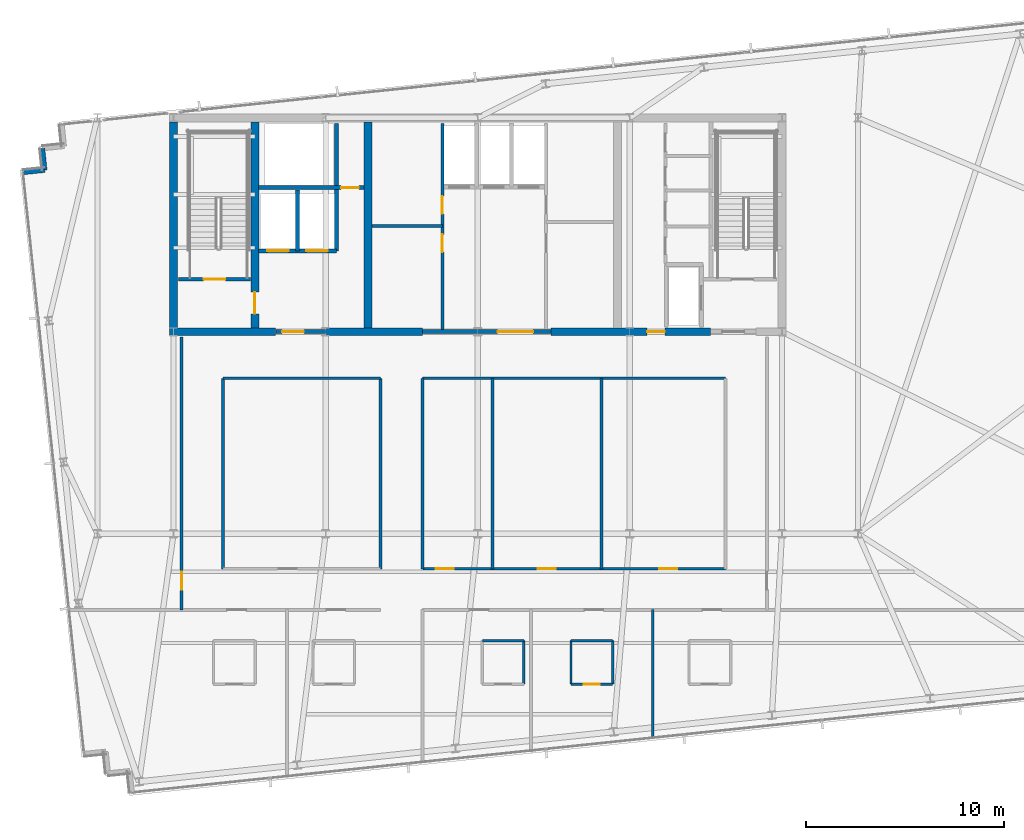
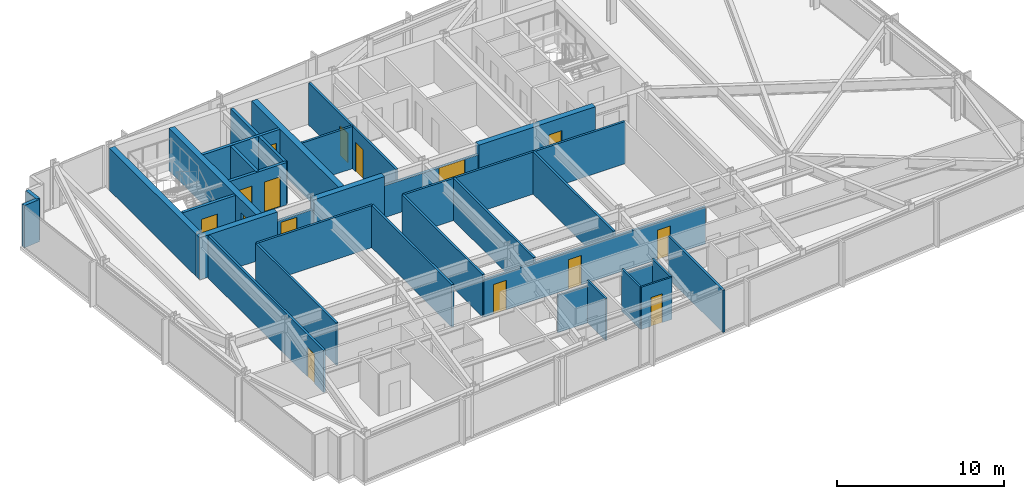
# One storey, part 27 of 33: 33 walls, 15 doors, 15 openings.
"""IFC4 building model written with IfcOpenShell, lengths in metres."""

from ifc_helpers import new_model, si_unit, direction, frame, frame_2d, origin, place, context, subcontext, project, spatial, rectangle, extrude, material, layer, layer_set, type_object, element, fill, save


model = new_model("IFC4")

# Units and contexts
model_context = context("Model", 3, precision=1e-05, world=origin(), true_north=direction((0.0, 1.0)))
body_context = subcontext(model_context, "Body", "Model", "MODEL_VIEW")
ifc_project = project(units=[si_unit("LENGTHUNIT", "METRE"), si_unit("AREAUNIT", "SQUARE_METRE"), si_unit("VOLUMEUNIT", "CUBIC_METRE"), si_unit("PLANEANGLEUNIT", "RADIAN"), si_unit("MASSUNIT", "GRAM", prefix="KILO")], contexts=[model_context])

# Site, building, storey
site_placement = place(None, origin())
site = spatial("IfcSite", under=ifc_project, at=site_placement, CompositionType="ELEMENT")
building_placement = place(site_placement, origin())
building = spatial("IfcBuilding", under=site, at=building_placement, Name="Yelkora Congress Tower", CompositionType="ELEMENT")
storey_placement = place(building_placement, frame((0.0, 0.0, 234.199951171875)))
storey = spatial("IfcBuildingStorey", under=building, at=storey_placement, Name="L65", CompositionType="ELEMENT", Elevation=234.199951171875)

# Walls
ifc_material_1 = material(Name="Concrete C50/60", Category="concrete")
ifc_layer_1 = layer(ifc_material_1, 0.39990234375)
ifc_layer_set_1 = layer_set([ifc_layer_1], Name="Concrete C50/60")
wall_type_1 = type_object("IfcWallType", Name="WALL-CORE-INT-400", PredefinedType="SHEAR", material=ifc_layer_set_1)
wall_1_placement = place(storey_placement, frame((22.840087890625, 35.39990234375, 0.0), z_axis=(0.0, 0.0, 1.0), x_axis=(1.0, 0.0, 0.0)))
element("IfcWall", 1, at=wall_1_placement, inside=storey, type_object=wall_type_1, Name="L65 Rear Core South-West Shear Wall", PredefinedType="SHEAR", context=body_context, shape_type="SweptSolid", body=[
    extrude(rectangle(XDim=5.35986328125, YDim=0.39990234375, at=frame_2d((2.679931640625, 0.0))), origin(), (0.0, 0.0, 1.0), 3.080078125),
])
wall_2_placement = place(storey_placement, frame((30.719970703125, 35.39990234375, 0.0), z_axis=(0.0, 0.0, 1.0), x_axis=(1.0, 0.0, 0.0)))
element("IfcWall", 2, at=wall_2_placement, inside=storey, type_object=wall_type_1, Name="L65 Rear Core South-Center Shear Pier", PredefinedType="SHEAR", context=body_context, shape_type="SweptSolid", body=[
    extrude(rectangle(XDim=4.880126953125, YDim=0.39990234375, at=frame_2d((2.43994140625, 0.0))), origin(), (0.0, 0.0, 1.0), 3.080078125),
])

# Wall, opening, door
wall_3_placement = place(storey_placement, frame((42.10009765625, 35.39990234375, 0.0), z_axis=(0.0, 0.0, 1.0), x_axis=(1.0, 0.0, 0.0)))
wall_3 = element("IfcWall", 3, at=wall_3_placement, inside=storey, type_object=wall_type_1, Name="L65 Rear Core South-East Shear Wall A", PredefinedType="SHEAR", context=body_context, shape_type="SweptSolid", body=[
    extrude(rectangle(XDim=8.0498046875, YDim=0.39990234375, at=frame_2d((4.02490234375, 0.0))), origin(), (0.0, 0.0, 1.0), 3.080078125),
])
opening_1_placement = place(wall_3_placement, frame((4.85009765625, 0.0, 0.0)))
opening_1 = element("IfcOpeningElement", 4, at=opening_1_placement, cuts=wall_3, Name="Opening DR-090F6", PredefinedType="OPENING", context=body_context, shape_type="SweptSolid", body=[
    extrude(rectangle(XDim=0.89990234375, YDim=2.14990234375, at=frame_2d((0.449951171875, 1.074951171875))), frame((0.0, 0.2099609375, 0.0), z_axis=(0.0, -1.0, 0.0), x_axis=(1.0, 0.0, 0.0)), (0.0, 0.0, 1.0), 0.419921875),
])
ifc_material_2 = material(Name="Painted steel riser fire door leaf", Category="steel")
door_type_1 = type_object("IfcDoorType", Name="DOOR-FD60-900", OperationType="NOTDEFINED", PredefinedType="DOOR", material=ifc_material_2)
door_1_placement = place(opening_1_placement, origin())
door_1 = element("IfcDoor", 5, at=door_1_placement, inside=storey, type_object=door_type_1, Name="L65 Core Washroom Lobby Door", OperationType="SINGLE_SWING_RIGHT", OverallHeight=2.14990234375, OverallWidth=0.89990234375, PredefinedType="DOOR", context=body_context, shape_type="SweptSolid", body=[
    extrude(rectangle(XDim=0.89990234375, YDim=2.14990234375, at=frame_2d((0.449951171875, 1.074951171875))), frame((0.0, 0.02490234375, 0.0), z_axis=(0.0, -1.0, 0.0), x_axis=(1.0, 0.0, 0.0)), (0.0, 0.0, 1.0), 0.050048828125),
])
fill(opening_1, door_1)

# Wall
wall_4_placement = place(storey_placement, frame((23.0400390625, 35.60009765625, 0.0), z_axis=(0.0, 0.0, 1.0), x_axis=(0.0, 1.0, 0.0)))
element("IfcWall", 6, at=wall_4_placement, inside=storey, type_object=wall_type_1, Name="L65 Rear Core Cross Shear Wall W", PredefinedType="SHEAR", context=body_context, shape_type="SweptSolid", body=[
    extrude(rectangle(XDim=10.39990234375, YDim=0.39990234375, at=frame_2d((5.199951171875, 0.0))), origin(), (0.0, 0.0, 1.0), 3.080078125),
])

# Wall, opening, door
wall_5_placement = place(storey_placement, frame((27.14990234375, 35.60009765625, 0.0), z_axis=(0.0, 0.0, 1.0), x_axis=(0.0, 1.0, 0.0)))
wall_5 = element("IfcWall", 7, at=wall_5_placement, inside=storey, type_object=wall_type_1, Name="L65 Rear Core Cross Shear Wall C1", PredefinedType="SHEAR", context=body_context, shape_type="SweptSolid", body=[
    extrude(rectangle(XDim=10.39990234375, YDim=0.39990234375, at=frame_2d((5.199951171875, 0.0))), origin(), (0.0, 0.0, 1.0), 3.080078125),
])
opening_2_placement = place(wall_5_placement, frame((0.699951171875, 0.0, 0.0)))
opening_2 = element("IfcOpeningElement", 8, at=opening_2_placement, cuts=wall_5, Name="Opening DR-110F9", PredefinedType="OPENING", context=body_context, shape_type="SweptSolid", body=[
    extrude(rectangle(XDim=1.10009765625, YDim=2.14990234375, at=frame_2d((0.550048828125, 1.074951171875))), frame((0.0, 0.2099609375, 0.0), z_axis=(0.0, -1.0, 0.0), x_axis=(1.0, 0.0, 0.0)), (0.0, 0.0, 1.0), 0.419921875),
])
ifc_material_3 = material(Name="Galvanised steel fire door leaf", Category="steel")
door_type_2 = type_object("IfcDoorType", Name="DOOR-FD90-1100", OperationType="NOTDEFINED", PredefinedType="DOOR", material=ifc_material_3)
door_2_placement = place(opening_2_placement, origin())
door_2 = element("IfcDoor", 9, at=door_2_placement, inside=storey, type_object=door_type_2, Name="L65 Firefighting Stair Transfer Door", OperationType="SINGLE_SWING_LEFT", OverallHeight=2.14990234375, OverallWidth=1.10009765625, PredefinedType="DOOR", context=body_context, shape_type="SweptSolid", body=[
    extrude(rectangle(XDim=1.10009765625, YDim=2.14990234375, at=frame_2d((0.550048828125, 1.074951171875))), frame((0.0, 0.02490234375, 0.0), z_axis=(0.0, -1.0, 0.0), x_axis=(1.0, 0.0, 0.0)), (0.0, 0.0, 1.0), 0.050048828125),
])
fill(opening_2, door_2)

# Walls
wall_6_placement = place(storey_placement, frame((32.85009765625, 35.60009765625, 0.0), z_axis=(0.0, 0.0, 1.0), x_axis=(0.0, 1.0, 0.0)))
element("IfcWall", 10, at=wall_6_placement, inside=storey, type_object=wall_type_1, Name="L65 Rear Core Cross Shear Wall C2", PredefinedType="SHEAR", context=body_context, shape_type="SweptSolid", body=[
    extrude(rectangle(XDim=10.39990234375, YDim=0.39990234375, at=frame_2d((5.199951171875, 0.0))), origin(), (0.0, 0.0, 1.0), 3.080078125),
])
ifc_material_4 = material(Name="Concrete C40/50", Category="concrete")
ifc_layer_2 = layer(ifc_material_4, 0.239990234375)
ifc_layer_set_2 = layer_set([ifc_layer_2], Name="Concrete C40/50")
wall_type_2 = type_object("IfcWallType", Name="WALL-EXT-LIMESTONE-240", PredefinedType="SOLIDWALL", material=ifc_layer_set_2)
wall_7_placement = place(storey_placement, frame((15.441162109375, 43.444580078125, 0.0), z_axis=(0.0, 0.0, 1.0), x_axis=(0.994495717747, 0.104777227405, 0.0)))
element("IfcWall", 11, at=wall_7_placement, inside=storey, type_object=wall_type_2, Name="L65 Serrated Corner Limestone Pier 6", PredefinedType="SOLIDWALL", context=body_context, shape_type="SweptSolid", body=[
    extrude(rectangle(XDim=1.099853515625, YDim=0.239990234375, at=frame_2d((0.5498046875, 0.0))), origin(), (0.0, 0.0, 1.0), 3.080078125),
])
wall_8_placement = place(storey_placement, frame((16.534912109375, 43.559814453125, 0.0), z_axis=(0.0, 0.0, 1.0), x_axis=(-0.104315068386, 0.994544300928, 0.0)))
element("IfcWall", 12, at=wall_8_placement, inside=storey, type_object=wall_type_2, Name="L65 Serrated Corner Limestone Pier 7", PredefinedType="SOLIDWALL", context=body_context, shape_type="SweptSolid", body=[
    extrude(rectangle(XDim=1.10009765625, YDim=0.239990234375, at=frame_2d((0.550048828125, 0.0))), origin(), (0.0, 0.0, 1.0), 3.080078125),
])
ifc_material_5 = material(Name="Moisture-resistant gypsum partition", Category="gypsum")
ifc_layer_3 = layer(ifc_material_5, 0.1201171875)
ifc_layer_set_3 = layer_set([ifc_layer_3], Name="Moisture-resistant gypsum partition")
wall_type_3 = type_object("IfcWallType", Name="WALL-INT-120-NR", PredefinedType="PARTITIONING", material=ifc_layer_set_3)
wall_9_placement = place(storey_placement, frame((38.632080078125, 19.800048828125, 0.0), z_axis=(0.0, 0.0, 1.0), x_axis=(1.0, 0.0, 0.0)))
element("IfcWall", 13, at=wall_9_placement, inside=storey, type_object=wall_type_3, Name="L65 Partition Wall 33", PredefinedType="PARTITIONING", context=body_context, shape_type="SweptSolid", body=[
    extrude(rectangle(XDim=2.099853515625, YDim=0.1201171875, at=frame_2d((1.0498046875, 0.0))), origin(), (0.0, 0.0, 1.0), 2.715087890625),
])
wall_10_placement = place(storey_placement, frame((40.73193359375, 17.60009765625, 0.0), z_axis=(0.0, 0.0, 1.0), x_axis=(0.0, 1.0, 0.0)))
element("IfcWall", 14, at=wall_10_placement, inside=storey, type_object=wall_type_3, Name="L65 Partition Wall 35", PredefinedType="PARTITIONING", context=body_context, shape_type="SweptSolid", body=[
    extrude(rectangle(XDim=2.199951171875, YDim=0.1201171875, at=frame_2d((1.10009765625, 0.0))), origin(), (0.0, 0.0, 1.0), 3.080078125),
])
wall_11_placement = place(storey_placement, frame((43.110107421875, 19.800048828125, 0.0), z_axis=(0.0, 0.0, 1.0), x_axis=(1.0, 0.0, 0.0)))
element("IfcWall", 15, at=wall_11_placement, inside=storey, type_object=wall_type_3, Name="L65 Partition Wall 38", PredefinedType="PARTITIONING", context=body_context, shape_type="SweptSolid", body=[
    extrude(rectangle(XDim=2.099853515625, YDim=0.1201171875, at=frame_2d((1.0498046875, 0.0))), origin(), (0.0, 0.0, 1.0), 2.715087890625),
])
for number, where, z_axis, x_axis, name in (
    (16, (43.110107421875, 17.60009765625, 0.0), (0.0, 0.0, 1.0), (0.0, 1.0, 0.0), "L65 Partition Wall 39"),
    (17, (45.2099609375, 17.60009765625, 0.0), (0.0, 0.0, 1.0), (0.0, 1.0, 0.0), "L65 Partition Wall 40"),
):
    element("IfcWall", number, at=place(storey_placement, frame(where, z_axis=z_axis, x_axis=x_axis)), inside=storey, type_object=wall_type_3, Name=name, PredefinedType="PARTITIONING", context=body_context, shape_type="SweptSolid", body=[
        extrude(rectangle(XDim=2.199951171875, YDim=0.1201171875, at=frame_2d((1.10009765625, 0.0))), origin(), (0.0, 0.0, 1.0), 3.080078125),
    ])

# Wall, opening, door
wall_12_placement = place(storey_placement, frame((43.110107421875, 17.60009765625, 0.0), z_axis=(0.0, 0.0, 1.0), x_axis=(1.0, 0.0, 0.0)))
wall_12 = element("IfcWall", 18, at=wall_12_placement, inside=storey, type_object=wall_type_3, Name="L65 Partition Wall 41", PredefinedType="PARTITIONING", context=body_context, shape_type="SweptSolid", body=[
    extrude(rectangle(XDim=2.099853515625, YDim=0.1201171875, at=frame_2d((1.0498046875, 0.0))), origin(), (0.0, 0.0, 1.0), 3.080078125),
])
opening_3_placement = place(wall_12_placement, frame((0.64990234375, 0.0, 0.0)))
opening_3 = element("IfcOpeningElement", 19, at=opening_3_placement, cuts=wall_12, Name="Opening DR-080B", PredefinedType="OPENING", context=body_context, shape_type="SweptSolid", body=[
    extrude(rectangle(XDim=0.800048828125, YDim=2.10009765625, at=frame_2d((0.39990234375, 1.050048828125))), frame((0.0, 0.070068359375, 0.0), z_axis=(0.0, -1.0, 0.0), x_axis=(1.0, 0.0, 0.0)), (0.0, 0.0, 1.0), 0.14013671875),
])
ifc_material_6 = material(Name="Moisture-sealed en-suite timber door", Category="wood")
door_type_3 = type_object("IfcDoorType", Name="DOOR-BATH-800", OperationType="NOTDEFINED", PredefinedType="DOOR", material=ifc_material_6)
door_3_placement = place(opening_3_placement, origin())
door_3 = element("IfcDoor", 20, at=door_3_placement, inside=storey, type_object=door_type_3, Name="L65 En-suite Door 5", OperationType="SINGLE_SWING_RIGHT", OverallHeight=2.10009765625, OverallWidth=0.800048828125, PredefinedType="DOOR", context=body_context, shape_type="SweptSolid", body=[
    extrude(rectangle(XDim=0.800048828125, YDim=2.10009765625, at=frame_2d((0.39990234375, 1.050048828125))), frame((0.0, 0.02490234375, 0.0), z_axis=(0.0, -1.0, 0.0), x_axis=(1.0, 0.0, 0.0)), (0.0, 0.0, 1.0), 0.050048828125),
])
fill(opening_3, door_3)

ifc_material_7 = material(Name="Acoustic metal-stud gypsum partition", Category="gypsum")
ifc_layer_4 = layer(ifc_material_7, 0.14990234375)
ifc_layer_set_4 = layer_set([ifc_layer_4], Name="Acoustic metal-stud gypsum partition")
wall_type_4 = type_object("IfcWallType", Name="WALL-INT-150-NR", PredefinedType="PARTITIONING", material=ifc_layer_set_4)
wall_13_placement = place(storey_placement, frame((23.449951171875, 21.35009765625, 0.0), z_axis=(0.0, 0.0, 1.0), x_axis=(0.0, 1.0, 0.0)))
wall_13 = element("IfcWall", 21, at=wall_13_placement, inside=storey, type_object=wall_type_4, Name="L65 Partition Wall 50", PredefinedType="PARTITIONING", context=body_context, shape_type="SweptSolid", body=[
    extrude(rectangle(XDim=13.789794921875, YDim=0.14990234375, at=frame_2d((6.89501953125, 0.0))), origin(), (0.0, 0.0, 1.0), 3.080078125),
])
opening_4_placement = place(wall_13_placement, frame((1.030029296875, 0.0, 0.0)))
opening_4 = element("IfcOpeningElement", 22, at=opening_4_placement, cuts=wall_13, Name="Opening DR-090N", PredefinedType="OPENING", context=body_context, shape_type="SweptSolid", body=[
    extrude(rectangle(XDim=0.89990234375, YDim=2.14990234375, at=frame_2d((0.449951171875, 1.074951171875))), frame((0.0, 0.0849609375, 0.0), z_axis=(0.0, -1.0, 0.0), x_axis=(1.0, 0.0, 0.0)), (0.0, 0.0, 1.0), 0.169921875),
])
ifc_material_8 = material(Name="Moisture-resistant laminate door leaf", Category="wood")
door_type_4 = type_object("IfcDoorType", Name="DOOR-INT-900", OperationType="NOTDEFINED", PredefinedType="DOOR", material=ifc_material_8)
door_4_placement = place(opening_4_placement, origin())
door_4 = element("IfcDoor", 23, at=door_4_placement, inside=storey, type_object=door_type_4, Name="L65 W Wing Door", OperationType="SINGLE_SWING_LEFT", OverallHeight=2.14990234375, OverallWidth=0.89990234375, PredefinedType="DOOR", context=body_context, shape_type="SweptSolid", body=[
    extrude(rectangle(XDim=0.89990234375, YDim=2.14990234375, at=frame_2d((0.449951171875, 1.074951171875))), frame((0.0, 0.02490234375, 0.0), z_axis=(0.0, -1.0, 0.0), x_axis=(1.0, 0.0, 0.0)), (0.0, 0.0, 1.0), 0.050048828125),
])
fill(opening_4, door_4)

# Walls
for number, where, z_axis, x_axis, name in (
    (24, (25.530029296875, 23.429931640625, 0.0), (0.0, 0.0, 1.0), (0.0, 1.0, 0.0), "L65 Partition Wall 52"),
    (25, (33.5, 23.429931640625, 0.0), (0.0, 0.0, 1.0), (0.0, 1.0, 0.0), "L65 Partition Wall 54"),
    (26, (35.6201171875, 23.429931640625, 0.0), (0.0, 0.0, 1.0), (0.0, 1.0, 0.0), "L65 Partition Wall 55"),
):
    element("IfcWall", number, at=place(storey_placement, frame(where, z_axis=z_axis, x_axis=x_axis)), inside=storey, type_object=wall_type_4, Name=name, PredefinedType="PARTITIONING", context=body_context, shape_type="SweptSolid", body=[
        extrude(rectangle(XDim=9.6201171875, YDim=0.14990234375, at=frame_2d((4.81005859375, 0.0))), origin(), (0.0, 0.0, 1.0), 3.080078125),
    ])
wall_14_placement = place(storey_placement, frame((25.530029296875, 33.050048828125, 0.0), z_axis=(0.0, 0.0, 1.0), x_axis=(1.0, 0.0, 0.0)))
element("IfcWall", 27, at=wall_14_placement, inside=storey, type_object=wall_type_4, Name="L65 Partition Wall 56", PredefinedType="PARTITIONING", context=body_context, shape_type="SweptSolid", body=[
    extrude(rectangle(XDim=7.969970703125, YDim=0.14990234375, at=frame_2d((3.98486328125, 0.0))), origin(), (0.0, 0.0, 1.0), 3.080078125),
])
wall_15_placement = place(storey_placement, frame((35.6201171875, 33.050048828125, 0.0), z_axis=(0.0, 0.0, 1.0), x_axis=(1.0, 0.0, 0.0)))
element("IfcWall", 28, at=wall_15_placement, inside=storey, type_object=wall_type_4, Name="L65 Partition Wall 57", PredefinedType="PARTITIONING", context=body_context, shape_type="SweptSolid", body=[
    extrude(rectangle(XDim=15.2998046875, YDim=0.14990234375, at=frame_2d((7.64990234375, 0.0))), origin(), (0.0, 0.0, 1.0), 3.080078125),
])
for number, where, z_axis, x_axis, name in (
    (29, (39.14208984375, 23.429931640625, 0.0), (0.0, 0.0, 1.0), (0.0, 1.0, 0.0), "L65 Partition Wall 59"),
    (30, (44.638916015625, 23.429931640625, 0.0), (0.0, 0.0, 1.0), (0.0, 1.0, 0.0), "L65 Partition Wall 60"),
):
    element("IfcWall", number, at=place(storey_placement, frame(where, z_axis=z_axis, x_axis=x_axis)), inside=storey, type_object=wall_type_4, Name=name, PredefinedType="PARTITIONING", context=body_context, shape_type="SweptSolid", body=[
        extrude(rectangle(XDim=9.6201171875, YDim=0.14990234375, at=frame_2d((4.81005859375, 0.0))), origin(), (0.0, 0.0, 1.0), 3.080078125),
    ])

# Wall, openings, doors
wall_16_placement = place(storey_placement, frame((35.6298828125, 23.429931640625, 0.0), z_axis=(0.0, 0.0, 1.0), x_axis=(1.0, 0.0, 0.0)))
wall_16 = element("IfcWall", 31, at=wall_16_placement, inside=storey, type_object=wall_type_4, Name="L65 Partition Wall 61", PredefinedType="PARTITIONING", context=body_context, shape_type="SweptSolid", body=[
    extrude(rectangle(XDim=15.27001953125, YDim=0.14990234375, at=frame_2d((7.635009765625, 0.0))), origin(), (0.0, 0.0, 1.0), 2.715087890625),
])
opening_5_placement = place(wall_16_placement, frame((0.64990234375, 0.0, 0.0)))
opening_5 = element("IfcOpeningElement", 32, at=opening_5_placement, cuts=wall_16, Name="Opening DR-090N", PredefinedType="OPENING", context=body_context, shape_type="SweptSolid", body=[
    extrude(rectangle(XDim=0.89990234375, YDim=2.14990234375, at=frame_2d((0.449951171875, 1.074951171875))), frame((0.0, 0.0849609375, 0.0), z_axis=(0.0, -1.0, 0.0), x_axis=(1.0, 0.0, 0.0)), (0.0, 0.0, 1.0), 0.169921875),
])
opening_6_placement = place(wall_16_placement, frame((5.810546875, 0.0, 0.0)))
opening_6 = element("IfcOpeningElement", 33, at=opening_6_placement, cuts=wall_16, Name="Opening DR-090N", PredefinedType="OPENING", context=body_context, shape_type="SweptSolid", body=[
    extrude(rectangle(XDim=0.89990234375, YDim=2.14990234375, at=frame_2d((0.449951171875, 1.074951171875))), frame((0.0, 0.0849609375, 0.0), z_axis=(0.0, -1.0, 0.0), x_axis=(1.0, 0.0, 0.0)), (0.0, 0.0, 1.0), 0.169921875),
])
opening_7_placement = place(wall_16_placement, frame((11.943359375, 0.0, 0.0)))
opening_7 = element("IfcOpeningElement", 34, at=opening_7_placement, cuts=wall_16, Name="Opening DR-090N", PredefinedType="OPENING", context=body_context, shape_type="SweptSolid", body=[
    extrude(rectangle(XDim=0.89990234375, YDim=2.14990234375, at=frame_2d((0.449951171875, 1.074951171875))), frame((0.0, 0.0849609375, 0.0), z_axis=(0.0, -1.0, 0.0), x_axis=(1.0, 0.0, 0.0)), (0.0, 0.0, 1.0), 0.169921875),
])
door_5_placement = place(opening_5_placement, origin())
door_5 = element("IfcDoor", 35, at=door_5_placement, inside=storey, type_object=door_type_4, Name="L65 Hospitality Pantry Door", OperationType="SINGLE_SWING_RIGHT", OverallHeight=2.14990234375, OverallWidth=0.89990234375, PredefinedType="DOOR", context=body_context, shape_type="SweptSolid", body=[
    extrude(rectangle(XDim=0.89990234375, YDim=2.14990234375, at=frame_2d((0.449951171875, 1.074951171875))), frame((0.0, 0.02490234375, 0.0), z_axis=(0.0, -1.0, 0.0), x_axis=(1.0, 0.0, 0.0)), (0.0, 0.0, 1.0), 0.050048828125),
])
fill(opening_5, door_5)
door_6_placement = place(opening_6_placement, origin())
door_6 = element("IfcDoor", 36, at=door_6_placement, inside=storey, type_object=door_type_4, Name="L65 Staff Operations Room Door", OperationType="SINGLE_SWING_LEFT", OverallHeight=2.14990234375, OverallWidth=0.89990234375, PredefinedType="DOOR", context=body_context, shape_type="SweptSolid", body=[
    extrude(rectangle(XDim=0.89990234375, YDim=2.14990234375, at=frame_2d((0.449951171875, 1.074951171875))), frame((0.0, 0.02490234375, 0.0), z_axis=(0.0, -1.0, 0.0), x_axis=(1.0, 0.0, 0.0)), (0.0, 0.0, 1.0), 0.050048828125),
])
fill(opening_6, door_6)
door_7_placement = place(opening_7_placement, origin())
door_7 = element("IfcDoor", 37, at=door_7_placement, inside=storey, type_object=door_type_4, Name="L65 Security Control Room Door", OperationType="SINGLE_SWING_RIGHT", OverallHeight=2.14990234375, OverallWidth=0.89990234375, PredefinedType="DOOR", context=body_context, shape_type="SweptSolid", body=[
    extrude(rectangle(XDim=0.89990234375, YDim=2.14990234375, at=frame_2d((0.449951171875, 1.074951171875))), frame((0.0, 0.02490234375, 0.0), z_axis=(0.0, -1.0, 0.0), x_axis=(1.0, 0.0, 0.0)), (0.0, 0.0, 1.0), 0.050048828125),
])
fill(opening_7, door_7)

# Wall
ifc_material_9 = material(Name="Twin-stud fire-rated gypsum partition", Category="gypsum")
ifc_layer_5 = layer(ifc_material_9, 0.14990234375)
ifc_layer_set_5 = layer_set([ifc_layer_5], Name="Twin-stud fire-rated gypsum partition")
wall_type_5 = type_object("IfcWallType", Name="WALL-INT-150-R60", PredefinedType="PARTITIONING", material=ifc_layer_set_5)
wall_17_placement = place(storey_placement, frame((33.050048828125, 40.75, 0.0), z_axis=(0.0, 0.0, 1.0), x_axis=(1.0, 0.0, 0.0)))
element("IfcWall", 38, at=wall_17_placement, inside=storey, type_object=wall_type_5, Name="L65 Partition Wall 11", PredefinedType="PARTITIONING", context=body_context, shape_type="SweptSolid", body=[
    extrude(rectangle(XDim=3.570068359375, YDim=0.14990234375, at=frame_2d((1.78515625, 0.0))), origin(), (0.0, 0.0, 1.0), 3.080078125),
])

# Wall, openings, doors
wall_18_placement = place(storey_placement, frame((36.6201171875, 35.5, 0.0), z_axis=(0.0, 0.0, 1.0), x_axis=(0.0, 1.0, 0.0)))
wall_18 = element("IfcWall", 39, at=wall_18_placement, inside=storey, type_object=wall_type_5, Name="L65 Partition Wall 12", PredefinedType="PARTITIONING", context=body_context, shape_type="SweptSolid", body=[
    extrude(rectangle(XDim=10.419921875, YDim=0.14990234375, at=frame_2d((5.2099609375, 0.0))), origin(), (0.0, 0.0, 1.0), 3.080078125),
])
opening_8_placement = place(wall_18_placement, frame((3.919921875, 0.0, 0.0)))
opening_8 = element("IfcOpeningElement", 40, at=opening_8_placement, cuts=wall_18, Name="Opening DR-090F6", PredefinedType="OPENING", context=body_context, shape_type="SweptSolid", body=[
    extrude(rectangle(XDim=0.89990234375, YDim=2.14990234375, at=frame_2d((0.449951171875, 1.074951171875))), frame((0.0, 0.0849609375, 0.0), z_axis=(0.0, -1.0, 0.0), x_axis=(1.0, 0.0, 0.0)), (0.0, 0.0, 1.0), 0.169921875),
])
opening_9_placement = place(wall_18_placement, frame((5.85009765625, 0.0, 0.0)))
opening_9 = element("IfcOpeningElement", 41, at=opening_9_placement, cuts=wall_18, Name="Opening DR-090F6", PredefinedType="OPENING", context=body_context, shape_type="SweptSolid", body=[
    extrude(rectangle(XDim=0.89990234375, YDim=2.14990234375, at=frame_2d((0.449951171875, 1.074951171875))), frame((0.0, 0.0849609375, 0.0), z_axis=(0.0, -1.0, 0.0), x_axis=(1.0, 0.0, 0.0)), (0.0, 0.0, 1.0), 0.169921875),
])
door_8_placement = place(opening_8_placement, origin())
door_8 = element("IfcDoor", 42, at=door_8_placement, inside=storey, type_object=door_type_1, Name="L65 Telecom Store Door", OperationType="SINGLE_SWING_RIGHT", OverallHeight=2.14990234375, OverallWidth=0.89990234375, PredefinedType="DOOR", context=body_context, shape_type="SweptSolid", body=[
    extrude(rectangle(XDim=0.89990234375, YDim=2.14990234375, at=frame_2d((0.449951171875, 1.074951171875))), frame((0.0, 0.02490234375, 0.0), z_axis=(0.0, -1.0, 0.0), x_axis=(1.0, 0.0, 0.0)), (0.0, 0.0, 1.0), 0.050048828125),
])
fill(opening_8, door_8)
door_9_placement = place(opening_9_placement, origin())
door_9 = element("IfcDoor", 43, at=door_9_placement, inside=storey, type_object=door_type_1, Name="L65 Archive Store Door", OperationType="SINGLE_SWING_LEFT", OverallHeight=2.14990234375, OverallWidth=0.89990234375, PredefinedType="DOOR", context=body_context, shape_type="SweptSolid", body=[
    extrude(rectangle(XDim=0.89990234375, YDim=2.14990234375, at=frame_2d((0.449951171875, 1.074951171875))), frame((0.0, 0.02490234375, 0.0), z_axis=(0.0, -1.0, 0.0), x_axis=(1.0, 0.0, 0.0)), (0.0, 0.0, 1.0), 0.050048828125),
])
fill(opening_9, door_9)

# Wall
wall_19_placement = place(storey_placement, frame((47.238037109375, 14.831787109375, 0.0), z_axis=(0.0, 0.0, 1.0), x_axis=(0.0, 1.0, 0.0)))
element("IfcWall", 44, at=wall_19_placement, inside=storey, type_object=wall_type_5, Name="L65 Partition Wall 47", PredefinedType="PARTITIONING", context=body_context, shape_type="SweptSolid", body=[
    extrude(rectangle(XDim=6.538330078125, YDim=0.14990234375, at=frame_2d((3.26904296875, 0.0))), origin(), (0.0, 0.0, 1.0), 3.080078125),
])

# Wall, opening, door
ifc_material_10 = material(Name="Autoclaved aerated concrete blockwork", Category="masonry")
ifc_layer_6 = layer(ifc_material_10, 0.199951171875)
ifc_layer_set_6 = layer_set([ifc_layer_6], Name="Autoclaved aerated concrete blockwork")
wall_type_6 = type_object("IfcWallType", Name="WALL-INT-200-R120", PredefinedType="PARTITIONING", material=ifc_layer_set_6)
wall_20_placement = place(storey_placement, frame((23.300048828125, 38.050048828125, 0.0), z_axis=(0.0, 0.0, 1.0), x_axis=(1.0, 0.0, 0.0)))
wall_20 = element("IfcWall", 45, at=wall_20_placement, inside=storey, type_object=wall_type_6, Name="L65 Stair ST-01 Enclosure Wall", PredefinedType="PARTITIONING", context=body_context, shape_type="SweptSolid", body=[
    extrude(rectangle(XDim=3.619873046875, YDim=0.199951171875, at=frame_2d((1.81005859375, 0.0))), origin(), (0.0, 0.0, 1.0), 3.080078125),
])
opening_10_placement = place(wall_20_placement, frame((1.260009765625, 0.0, 0.0)))
opening_10 = element("IfcOpeningElement", 46, at=opening_10_placement, cuts=wall_20, Name="Opening DR-110F9", PredefinedType="OPENING", context=body_context, shape_type="SweptSolid", body=[
    extrude(rectangle(XDim=1.10009765625, YDim=2.14990234375, at=frame_2d((0.550048828125, 1.074951171875))), frame((0.0, 0.10986328125, 0.0), z_axis=(0.0, -1.0, 0.0), x_axis=(1.0, 0.0, 0.0)), (0.0, 0.0, 1.0), 0.219970703125),
])
door_10_placement = place(opening_10_placement, origin())
door_10 = element("IfcDoor", 47, at=door_10_placement, inside=storey, type_object=door_type_2, Name="L65 Stair ST-01 Entry Door", OperationType="SINGLE_SWING_LEFT", OverallHeight=2.14990234375, OverallWidth=1.10009765625, PredefinedType="DOOR", context=body_context, shape_type="SweptSolid", body=[
    extrude(rectangle(XDim=1.10009765625, YDim=2.14990234375, at=frame_2d((0.550048828125, 1.074951171875))), frame((0.0, 0.02490234375, 0.0), z_axis=(0.0, -1.0, 0.0), x_axis=(1.0, 0.0, 0.0)), (0.0, 0.0, 1.0), 0.050048828125),
])
fill(opening_10, door_10)

wall_21_placement = place(storey_placement, frame((28.219970703125, 35.39990234375, 0.0), z_axis=(0.0, 0.0, 1.0), x_axis=(1.0, 0.0, 0.0)))
wall_21 = element("IfcWall", 48, at=wall_21_placement, inside=storey, type_object=wall_type_6, Name="L65 Firefighting Lobby South Wall", PredefinedType="PARTITIONING", context=body_context, shape_type="SweptSolid", body=[
    extrude(rectangle(XDim=2.5, YDim=0.199951171875, at=frame_2d((1.25, 0.0))), origin(), (0.0, 0.0, 1.0), 2.31298828125),
])
opening_11_placement = place(wall_21_placement, frame((0.300048828125, 0.0, 0.0)))
opening_11 = element("IfcOpeningElement", 49, at=opening_11_placement, cuts=wall_21, Name="Opening DR-110F9", PredefinedType="OPENING", context=body_context, shape_type="SweptSolid", body=[
    extrude(rectangle(XDim=1.10009765625, YDim=2.14990234375, at=frame_2d((0.550048828125, 1.074951171875))), frame((0.0, 0.10986328125, 0.0), z_axis=(0.0, -1.0, 0.0), x_axis=(1.0, 0.0, 0.0)), (0.0, 0.0, 1.0), 0.219970703125),
])
door_11_placement = place(opening_11_placement, origin())
door_11 = element("IfcDoor", 50, at=door_11_placement, inside=storey, type_object=door_type_2, Name="L65 Firefighting Lobby Corridor Door", OperationType="SINGLE_SWING_RIGHT", OverallHeight=2.14990234375, OverallWidth=1.10009765625, PredefinedType="DOOR", context=body_context, shape_type="SweptSolid", body=[
    extrude(rectangle(XDim=1.10009765625, YDim=2.14990234375, at=frame_2d((0.550048828125, 1.074951171875))), frame((0.0, 0.02490234375, 0.0), z_axis=(0.0, -1.0, 0.0), x_axis=(1.0, 0.0, 0.0)), (0.0, 0.0, 1.0), 0.050048828125),
])
fill(opening_11, door_11)

# Wall, openings, doors
wall_22_placement = place(storey_placement, frame((27.320068359375, 39.47998046875, 0.0), z_axis=(0.0, 0.0, 1.0), x_axis=(1.0, 0.0, 0.0)))
wall_22 = element("IfcWall", 51, at=wall_22_placement, inside=storey, type_object=wall_type_6, Name="L65 Firefighting Lift Front Wall", PredefinedType="PARTITIONING", context=body_context, shape_type="SweptSolid", body=[
    extrude(rectangle(XDim=3.93994140625, YDim=0.199951171875, at=frame_2d((1.969970703125, 0.0))), origin(), (0.0, 0.0, 1.0), 3.080078125),
])
opening_12_placement = place(wall_22_placement, frame((0.449951171875, 0.0, 0.0)))
opening_12 = element("IfcOpeningElement", 52, at=opening_12_placement, cuts=wall_22, Name="Opening LD-FF11", PredefinedType="OPENING", context=body_context, shape_type="SweptSolid", body=[
    extrude(rectangle(XDim=1.10009765625, YDim=2.199951171875, at=frame_2d((0.550048828125, 1.10009765625))), frame((0.0, 0.10986328125, 0.0), z_axis=(0.0, -1.0, 0.0), x_axis=(1.0, 0.0, 0.0)), (0.0, 0.0, 1.0), 0.219970703125),
])
opening_13_placement = place(wall_22_placement, frame((2.409912109375, 0.0, 0.0)))
opening_13 = element("IfcOpeningElement", 53, at=opening_13_placement, cuts=wall_22, Name="Opening LD-FF11", PredefinedType="OPENING", context=body_context, shape_type="SweptSolid", body=[
    extrude(rectangle(XDim=1.10009765625, YDim=2.199951171875, at=frame_2d((0.550048828125, 1.10009765625))), frame((0.0, 0.10986328125, 0.0), z_axis=(0.0, -1.0, 0.0), x_axis=(1.0, 0.0, 0.0)), (0.0, 0.0, 1.0), 0.219970703125),
])
ifc_material_11 = material(Name="Brushed stainless steel 316L landing door", Category="steel")
door_type_5 = type_object("IfcDoorType", Name="DOOR-LIFT-FF-1100", OperationType="DOUBLE_DOOR_SLIDING", PredefinedType="DOOR", material=ifc_material_11)
door_12_placement = place(opening_12_placement, origin())
door_12 = element("IfcDoor", 54, at=door_12_placement, inside=storey, type_object=door_type_5, Name="Lift Landing Door LF-FF1 L65", OperationType="DOUBLE_DOOR_SLIDING", OverallHeight=2.199951171875, OverallWidth=1.10009765625, PredefinedType="DOOR", context=body_context, shape_type="SweptSolid", body=[
    extrude(rectangle(XDim=1.10009765625, YDim=2.199951171875, at=frame_2d((0.550048828125, 1.10009765625))), frame((0.0, 0.02490234375, 0.0), z_axis=(0.0, -1.0, 0.0), x_axis=(1.0, 0.0, 0.0)), (0.0, 0.0, 1.0), 0.050048828125),
])
fill(opening_12, door_12)
door_13_placement = place(opening_13_placement, origin())
door_13 = element("IfcDoor", 55, at=door_13_placement, inside=storey, type_object=door_type_5, Name="Lift Landing Door LF-FF2 L65", OperationType="DOUBLE_DOOR_SLIDING", OverallHeight=2.199951171875, OverallWidth=1.10009765625, PredefinedType="DOOR", context=body_context, shape_type="SweptSolid", body=[
    extrude(rectangle(XDim=1.10009765625, YDim=2.199951171875, at=frame_2d((0.550048828125, 1.10009765625))), frame((0.0, 0.02490234375, 0.0), z_axis=(0.0, -1.0, 0.0), x_axis=(1.0, 0.0, 0.0)), (0.0, 0.0, 1.0), 0.050048828125),
])
fill(opening_13, door_13)

# Walls
wall_23_placement = place(storey_placement, frame((29.300048828125, 39.47998046875, 0.0), z_axis=(0.0, 0.0, 1.0), x_axis=(0.0, 1.0, 0.0)))
element("IfcWall", 56, at=wall_23_placement, inside=storey, type_object=wall_type_6, Name="L65 Partition Wall 4", PredefinedType="PARTITIONING", context=body_context, shape_type="SweptSolid", body=[
    extrude(rectangle(XDim=3.070068359375, YDim=0.199951171875, at=frame_2d((1.53515625, 0.0))), origin(), (0.0, 0.0, 1.0), 3.080078125),
])
wall_24_placement = place(storey_placement, frame((31.260009765625, 39.47998046875, 0.0), z_axis=(0.0, 0.0, 1.0), x_axis=(0.0, 1.0, 0.0)))
element("IfcWall", 57, at=wall_24_placement, inside=storey, type_object=wall_type_6, Name="L65 Partition Wall 5", PredefinedType="PARTITIONING", context=body_context, shape_type="SweptSolid", body=[
    extrude(rectangle(XDim=6.43994140625, YDim=0.199951171875, at=frame_2d((3.219970703125, 0.0))), origin(), (0.0, 0.0, 1.0), 3.080078125),
])

# Wall, opening, door
wall_25_placement = place(storey_placement, frame((27.320068359375, 42.679931640625, 0.0), z_axis=(0.0, 0.0, 1.0), x_axis=(1.0, 0.0, 0.0)))
wall_25 = element("IfcWall", 58, at=wall_25_placement, inside=storey, type_object=wall_type_6, Name="L65 Smoke Riser South Wall", PredefinedType="PARTITIONING", context=body_context, shape_type="SweptSolid", body=[
    extrude(rectangle(XDim=5.329833984375, YDim=0.199951171875, at=frame_2d((2.6650390625, 0.0))), origin(), (0.0, 0.0, 1.0), 3.080078125),
])
opening_14_placement = place(wall_25_placement, frame((4.179931640625, 0.0, 0.0)))
opening_14 = element("IfcOpeningElement", 59, at=opening_14_placement, cuts=wall_25, Name="Opening DR-090F6", PredefinedType="OPENING", context=body_context, shape_type="SweptSolid", body=[
    extrude(rectangle(XDim=0.89990234375, YDim=2.14990234375, at=frame_2d((0.449951171875, 1.074951171875))), frame((0.0, 0.10986328125, 0.0), z_axis=(0.0, -1.0, 0.0), x_axis=(1.0, 0.0, 0.0)), (0.0, 0.0, 1.0), 0.219970703125),
])
door_14_placement = place(opening_14_placement, origin())
door_14 = element("IfcDoor", 60, at=door_14_placement, inside=storey, type_object=door_type_1, Name="L65 Riser Access Door", OperationType="SINGLE_SWING_LEFT", OverallHeight=2.14990234375, OverallWidth=0.89990234375, PredefinedType="DOOR", context=body_context, shape_type="SweptSolid", body=[
    extrude(rectangle(XDim=0.89990234375, YDim=2.14990234375, at=frame_2d((0.449951171875, 1.074951171875))), frame((0.0, 0.02490234375, 0.0), z_axis=(0.0, -1.0, 0.0), x_axis=(1.0, 0.0, 0.0)), (0.0, 0.0, 1.0), 0.050048828125),
])
fill(opening_14, door_14)

wall_26_placement = place(storey_placement, frame((35.60009765625, 35.39990234375, 0.0), z_axis=(0.0, 0.0, 1.0), x_axis=(1.0, 0.0, 0.0)))
wall_26 = element("IfcWall", 61, at=wall_26_placement, inside=storey, type_object=wall_type_6, Name="L65 Main Lift Lobby South Portal Wall", PredefinedType="PARTITIONING", context=body_context, shape_type="SweptSolid", body=[
    extrude(rectangle(XDim=6.5, YDim=0.199951171875, at=frame_2d((3.25, 0.0))), origin(), (0.0, 0.0, 1.0), 2.31298828125),
])
opening_15_placement = place(wall_26_placement, frame((3.800048828125, 0.0, 0.0)))
opening_15 = element("IfcOpeningElement", 62, at=opening_15_placement, cuts=wall_26, Name="Opening DR-180D", PredefinedType="OPENING", context=body_context, shape_type="SweptSolid", body=[
    extrude(rectangle(XDim=1.800048828125, YDim=2.300048828125, at=frame_2d((0.89990234375, 1.14990234375))), frame((0.0, 0.10986328125, 0.0), z_axis=(0.0, -1.0, 0.0), x_axis=(1.0, 0.0, 0.0)), (0.0, 0.0, 1.0), 0.219970703125),
])
ifc_material_12 = material(Name="Acoustic double congress hall doors", Category="wood")
door_type_6 = type_object("IfcDoorType", Name="DOOR-DBL-1800", OperationType="DOUBLE_DOOR_SINGLE_SWING", PredefinedType="DOOR", material=ifc_material_12)
door_15_placement = place(opening_15_placement, origin())
door_15 = element("IfcDoor", 63, at=door_15_placement, inside=storey, type_object=door_type_6, Name="L65 Main Lift Lobby Portal Door", OperationType="DOUBLE_DOOR_SINGLE_SWING", OverallHeight=2.300048828125, OverallWidth=1.800048828125, PredefinedType="DOOR", context=body_context, shape_type="SweptSolid", body=[
    extrude(rectangle(XDim=1.800048828125, YDim=2.300048828125, at=frame_2d((0.89990234375, 1.14990234375))), frame((0.0, 0.02490234375, 0.0), z_axis=(0.0, -1.0, 0.0), x_axis=(1.0, 0.0, 0.0)), (0.0, 0.0, 1.0), 0.050048828125),
])
fill(opening_15, door_15)

save(model, "model.ifc")
